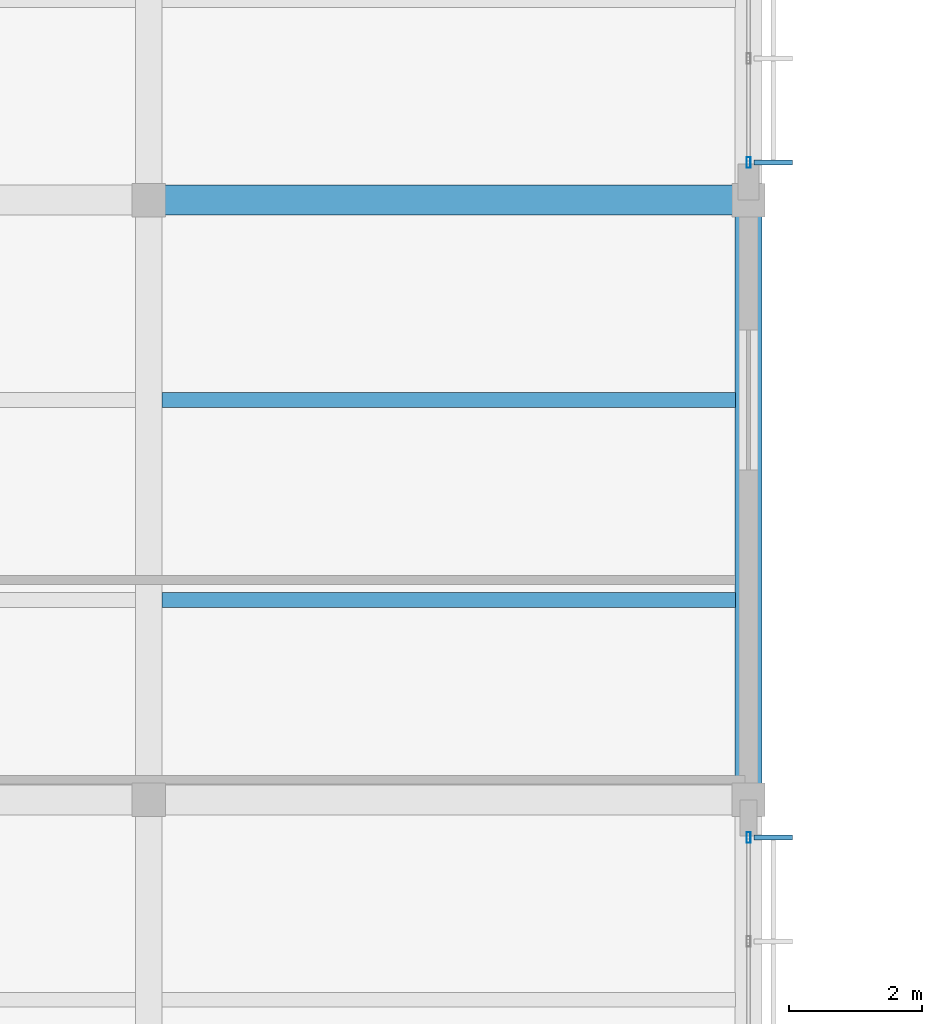
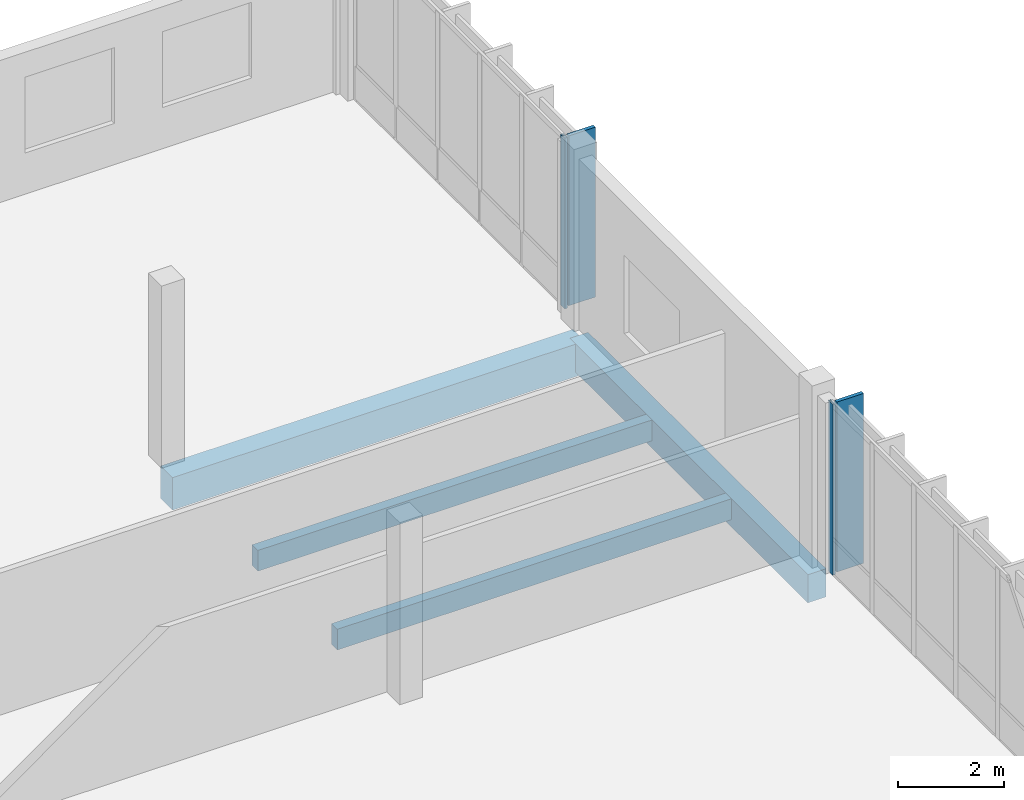
# One storey, part 123 of 182: 4 beams, 4 members, 2 elements without a shape of their own.
"""IFC4 building model written with IfcOpenShell, lengths in metres."""

from ifc_helpers import new_model, si_unit, direction, frame, origin, origin_2d, place, context, subcontext, project, spatial, rectangle, hollow_rectangle, extrude, material, material_profile, profile_set, type_object, element, aggregate, save


model = new_model("IFC4")

# Units and contexts
model_context = context("Model", 3, precision=1e-05, world=origin(), true_north=direction((0.0, 1.0)))
body_context = subcontext(model_context, "Body", "Model", "MODEL_VIEW")
ifc_project = project(units=[si_unit("LENGTHUNIT", "METRE"), si_unit("AREAUNIT", "SQUARE_METRE"), si_unit("VOLUMEUNIT", "CUBIC_METRE"), si_unit("PLANEANGLEUNIT", "RADIAN"), si_unit("MASSUNIT", "GRAM", prefix="KILO")], contexts=[model_context])

# Site, building, storey
site_placement = place(None, origin())
site = spatial("IfcSite", under=ifc_project, at=site_placement, CompositionType="ELEMENT")
building_placement = place(site_placement, origin())
building = spatial("IfcBuilding", under=site, at=building_placement, Name="Chiffa Square Polytechnic", CompositionType="ELEMENT")
storey_placement = place(building_placement, frame((0.0, 0.0, 9.60009765625)))
storey = spatial("IfcBuildingStorey", under=building, at=storey_placement, Name="L02", CompositionType="ELEMENT", Elevation=9.60009765625)

# Beams
ifc_material_1 = material(Name="Concrete C35/45", Category="concrete")
ifc_material_profile_1 = material_profile(ifc_material_1, rectangle(XDim=0.39990234375, YDim=0.64990234375, at=origin_2d()), Name="RC 400x650")
ifc_profile_set_1 = profile_set([ifc_material_profile_1], Name="Concrete C35/45")
beam_type_1 = type_object("IfcBeamType", Name="BM-RC-400X650", PredefinedType="BEAM", material=ifc_profile_set_1)
beam_1_placement = place(storey_placement, frame((148.199951171875, 112.800048828125, -0.64501953125), z_axis=(0.0, 1.0, 0.0), x_axis=(-1.0, 0.0, 0.0)))
element("IfcBeam", 1, at=beam_1_placement, inside=storey, type_object=beam_type_1, Name="Primary floor girder BM-V5-L02-Y-1482-1128", PredefinedType="BEAM", context=body_context, shape_type="SweptSolid", body=[
    extrude(rectangle(XDim=0.39990234375, YDim=0.64990234375, at=origin_2d()), origin(), (0.0, 0.0, 1.0), 9.0),
])
ifc_material_profile_2 = material_profile(ifc_material_1, rectangle(XDim=0.449951171875, YDim=0.75, at=origin_2d()), Name="RC 450x750")
ifc_profile_set_2 = profile_set([ifc_material_profile_2], Name="Concrete C35/45")
beam_type_2 = type_object("IfcBeamType", Name="BM-RC-450X750", PredefinedType="BEAM", material=ifc_profile_set_2)
beam_2_placement = place(storey_placement, frame((139.199951171875, 121.800048828125, -0.695068359375), z_axis=(1.0, 0.0, 0.0), x_axis=(0.0, 1.0, 0.0)))
element("IfcBeam", 2, at=beam_2_placement, inside=storey, type_object=beam_type_2, Name="Primary floor girder BM-V5-L02-X-1392-1218", PredefinedType="BEAM", context=body_context, shape_type="SweptSolid", body=[
    extrude(rectangle(XDim=0.449951171875, YDim=0.75, at=origin_2d()), origin(), (0.0, 0.0, 1.0), 9.0),
])

# Curtain wall, member
ifc_material_2 = material(Name="Aluminium EN AW-6060 T66 and glulam shading", Category="wood")
curtain_wall_type_1 = type_object("IfcCurtainWallType", Name="CW-VERT-540X440", PredefinedType="USERDEFINED", material=ifc_material_2)
curtain_wall_1_placement = place(storey_placement, origin())
curtain_wall_1 = element("IfcCurtainWall", 3, at=curtain_wall_1_placement, inside=storey, type_object=curtain_wall_type_1, Name="Curtain wall CW-V5-L02-215", ObjectType="CURTAIN WALL", PredefinedType="USERDEFINED")
ifc_material_3 = material(Name="Aluminium EN AW-6060 T66", Category="aluminium")
ifc_material_profile_3 = material_profile(ifc_material_3, hollow_rectangle(XDim=0.06005859375, YDim=0.159912109375, WallThickness=0.00390625, at=origin_2d()), Name="ALU 60x160x4")
ifc_profile_set_3 = profile_set([ifc_material_profile_3], Name="Aluminium EN AW-6060 T66")
member_type_1 = type_object("IfcMemberType", Name="CWM-ALU-65X150", PredefinedType="MULLION", material=ifc_profile_set_3)
member_1_placement = place(storey_placement, frame((148.199951171875, 112.235107421875, 0.0), z_axis=(0.0, 0.0, 1.0), x_axis=(1.0, 0.0, 0.0)))
member_1 = element("IfcMember", 4, at=member_1_placement, type_object=member_type_1, Name="Curtain wall mullion CW-V5-L02-215-M05", PredefinedType="MULLION", context=body_context, shape_type="SweptSolid", body=[
    extrude(hollow_rectangle(XDim=0.06005859375, YDim=0.159912109375, WallThickness=0.00390625, at=origin_2d()), origin(), (0.0, 0.0, 1.0), 3.93994140625),
])

curtain_wall_type_2 = type_object("IfcCurtainWallType", Name="CW-VERT-450X440", PredefinedType="USERDEFINED", material=ifc_material_2)
curtain_wall_2_placement = place(storey_placement, origin())
curtain_wall_2 = element("IfcCurtainWall", 5, at=curtain_wall_2_placement, inside=storey, type_object=curtain_wall_type_2, Name="Curtain wall CW-V5-L02-216", ObjectType="CURTAIN WALL", PredefinedType="USERDEFINED")
member_2_placement = place(storey_placement, frame((148.199951171875, 122.364990234375, 0.0), z_axis=(0.0, 0.0, 1.0), x_axis=(1.0, 0.0, 0.0)))
member_2 = element("IfcMember", 6, at=member_2_placement, type_object=member_type_1, Name="Curtain wall mullion CW-V5-L02-216-M00", PredefinedType="MULLION", context=body_context, shape_type="SweptSolid", body=[
    extrude(hollow_rectangle(XDim=0.06005859375, YDim=0.159912109375, WallThickness=0.00390625, at=origin_2d()), origin(), (0.0, 0.0, 1.0), 3.93994140625),
])

# Member
ifc_material_4 = material(Name="Glulam GL28h", Category="wood")
ifc_material_profile_4 = material_profile(ifc_material_4, rectangle(XDim=0.080078125, YDim=0.580078125, at=origin_2d()), Name="GL28h 80x580")
ifc_profile_set_4 = profile_set([ifc_material_profile_4], Name="Glulam GL28h")
member_type_2 = type_object("IfcMemberType", Name="CWM-GL-80X580", PredefinedType="MULLION", material=ifc_profile_set_4)
member_3_placement = place(storey_placement, frame((148.572021484375, 112.235107421875, 0.010009765625), z_axis=(0.0, 0.0, 1.0), x_axis=(0.0, 1.0, 0.0)))
member_3 = element("IfcMember", 7, at=member_3_placement, type_object=member_type_2, Name="Exterior glulam solar fin CW-V5-L02-215-FN05", PredefinedType="MULLION", context=body_context, shape_type="SweptSolid", body=[
    extrude(rectangle(XDim=0.080078125, YDim=0.580078125, at=origin_2d()), origin(), (0.0, 0.0, 1.0), 3.919921875),
])

aggregate(curtain_wall_1, [member_1, member_3])

member_4_placement = place(storey_placement, frame((148.572021484375, 122.364990234375, 0.010009765625), z_axis=(0.0, 0.0, 1.0), x_axis=(0.0, 1.0, 0.0)))
member_4 = element("IfcMember", 8, at=member_4_placement, type_object=member_type_2, Name="Exterior glulam solar fin CW-V5-L02-216-FN00", PredefinedType="MULLION", context=body_context, shape_type="SweptSolid", body=[
    extrude(rectangle(XDim=0.080078125, YDim=0.580078125, at=origin_2d()), origin(), (0.0, 0.0, 1.0), 3.919921875),
])

aggregate(curtain_wall_2, [member_2, member_4])

# Beams
ifc_material_profile_5 = material_profile(ifc_material_4, rectangle(XDim=0.219970703125, YDim=0.47998046875, at=origin_2d()), Name="GL28h 220x480")
ifc_profile_set_5 = profile_set([ifc_material_profile_5], Name="Glulam GL28h")
beam_type_3 = type_object("IfcBeamType", Name="JST-GL-220X480", PredefinedType="JOIST", material=ifc_profile_set_5)
for number, where, z_axis, x_axis, name in (
    (9, (139.39794921875, 115.800048828125, -0.56005859375), (1.0, 0.0, 0.0), (0.0, 1.0, 0.0), "Secondary floor joist JST-V5-L02-1392-1158"),
    (10, (139.39794921875, 118.800048828125, -0.56005859375), (1.0, 0.0, 0.0), (0.0, 1.0, 0.0), "Secondary floor joist JST-V5-L02-1392-1188"),
):
    element("IfcBeam", number, at=place(storey_placement, frame(where, z_axis=z_axis, x_axis=x_axis)), inside=storey, type_object=beam_type_3, Name=name, PredefinedType="JOIST", context=body_context, shape_type="SweptSolid", body=[
        extrude(rectangle(XDim=0.219970703125, YDim=0.47998046875, at=origin_2d()), origin(), (0.0, 0.0, 1.0), 8.60400390625),
    ])

save(model, "model.ifc")
